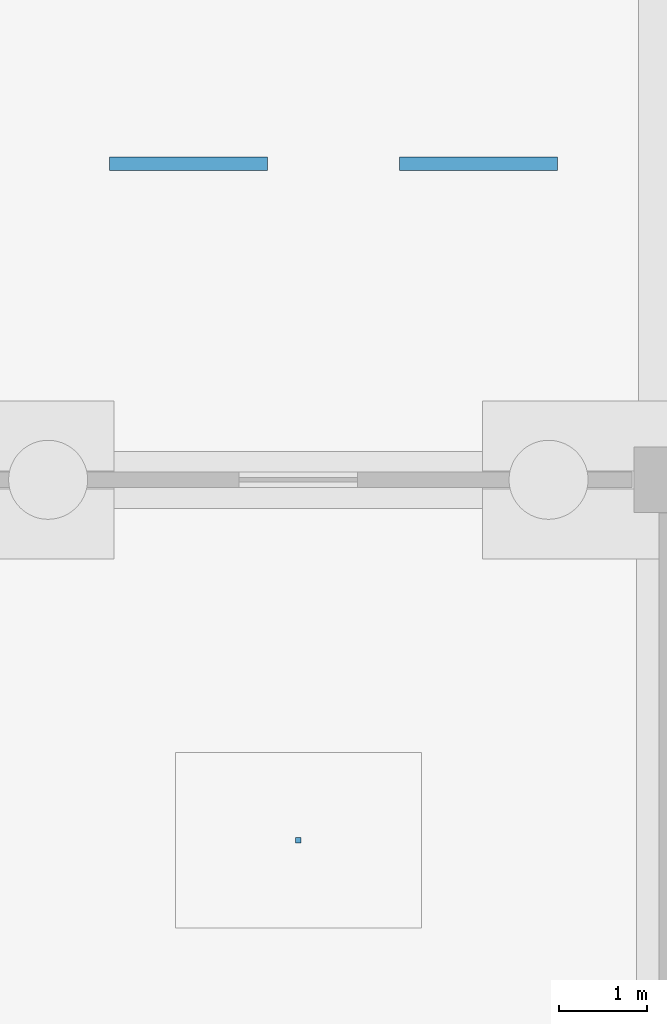
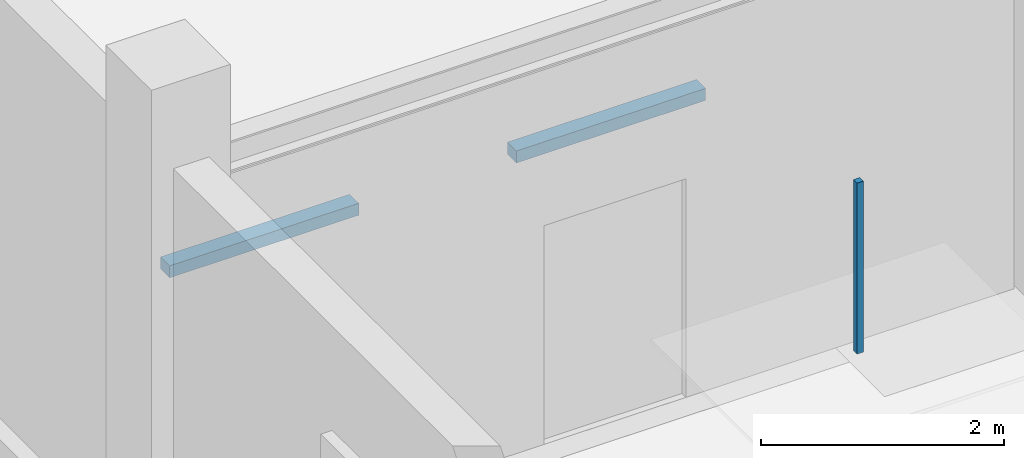
# One storey, part 92 of 119: 3 discrete accessories.
"""IFC4 building model written with IfcOpenShell, lengths in metres."""

from ifc_helpers import new_model, si_unit, derived_unit, direction, frame, origin, origin_2d, place, context, subcontext, project, spatial, rectangle, extrude, material, layer, layer_set, type_object, element, save


model = new_model("IFC4")

# Units and contexts
model_context = context("Model", 3, precision=1e-05, world=origin(), true_north=direction((0.0, 1.0)))
body_context = subcontext(model_context, "Body", "Model", "MODEL_VIEW")
ifc_project = project(units=[si_unit("LENGTHUNIT", "METRE"), si_unit("AREAUNIT", "SQUARE_METRE"), si_unit("VOLUMEUNIT", "CUBIC_METRE"), si_unit("PLANEANGLEUNIT", "RADIAN"), si_unit("MASSUNIT", "GRAM", prefix="KILO"), derived_unit("THERMALTRANSMITTANCEUNIT", [(si_unit("MASSUNIT", "GRAM", prefix="KILO"), 1), (si_unit("TIMEUNIT", "SECOND"), -3), (si_unit("THERMODYNAMICTEMPERATUREUNIT", "KELVIN"), -1)])], contexts=[model_context])

# Site, building, storey
site_placement = place(None, origin())
site = spatial("IfcSite", under=ifc_project, at=site_placement, CompositionType="ELEMENT")
building_placement = place(site_placement, origin())
building = spatial("IfcBuilding", under=site, at=building_placement, Name="Makaiwela Harbour Ferry Terminal", CompositionType="ELEMENT")
storey_placement = place(building_placement, origin())
storey = spatial("IfcBuildingStorey", under=building, at=storey_placement, Name="L00", CompositionType="ELEMENT", Elevation=0.0)

# Discrete accessories
ifc_material_1 = material(Name="Concrete f'c 45 MPa (6500 psi)", Category="concrete")
ifc_layer_1 = layer(ifc_material_1, 0.1201171875)
ifc_layer_set_1 = layer_set([ifc_layer_1], Name="Concrete f'c 45 MPa (6500 psi)")
discrete_accessory_type_1 = type_object("IfcDiscreteAccessoryType", Name="EXT-ACC-WST", PredefinedType="BRACKET", material=ifc_layer_set_1)
for number, where, z_axis, x_axis, name in (
    (1, (65.949951171875, 12.0, 0.0), (0.0, 0.0, 1.0), (1.0, 0.0, 0.0), "Parking Bay Wheel Stop WS-01"),
    (2, (69.25, 12.0, 0.0), (0.0, 0.0, 1.0), (1.0, 0.0, 0.0), "Parking Bay Wheel Stop WS-02"),
):
    element("IfcDiscreteAccessory", number, at=place(storey_placement, frame(where, z_axis=z_axis, x_axis=x_axis)), inside=storey, type_object=discrete_accessory_type_1, Name=name, PredefinedType="BRACKET", context=body_context, shape_type="SweptSolid", body=[
        extrude(rectangle(XDim=1.800048828125, YDim=0.14990234375, at=origin_2d()), origin(), (0.0, 0.0, 1.0), 0.1201171875),
    ])
ifc_material_2 = material(Name="Marine grade 316L brushed stainless steel", Category="steel")
ifc_layer_2 = layer(ifc_material_2, 1.0)
ifc_layer_set_2 = layer_set([ifc_layer_2], Name="Marine grade 316L brushed stainless steel")
discrete_accessory_type_2 = type_object("IfcDiscreteAccessoryType", Name="INT-ACC-HNG", PredefinedType="BRACKET", material=ifc_layer_set_2)
discrete_accessory_placement = place(storey_placement, frame((67.199951171875, 4.294921875, 3.13525390625), z_axis=(0.0, 0.0, 1.0), x_axis=(1.0, 0.0, 0.0)))
element("IfcDiscreteAccessory", 3, at=discrete_accessory_placement, inside=storey, type_object=discrete_accessory_type_2, Name="Ceiling Suspension Bracket HNG-022", PredefinedType="BRACKET", context=body_context, shape_type="SweptSolid", body=[
    extrude(rectangle(XDim=0.06005859375, YDim=0.06005859375, at=origin_2d()), origin(), (0.0, 0.0, 1.0), 1.719970703125),
])

save(model, "model.ifc")
